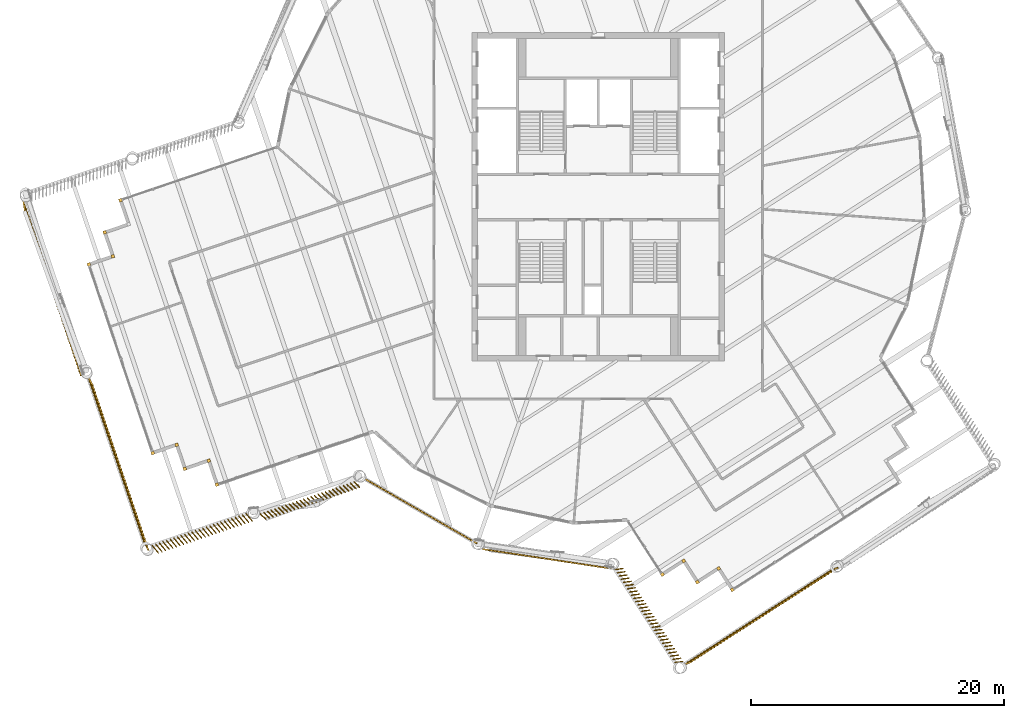
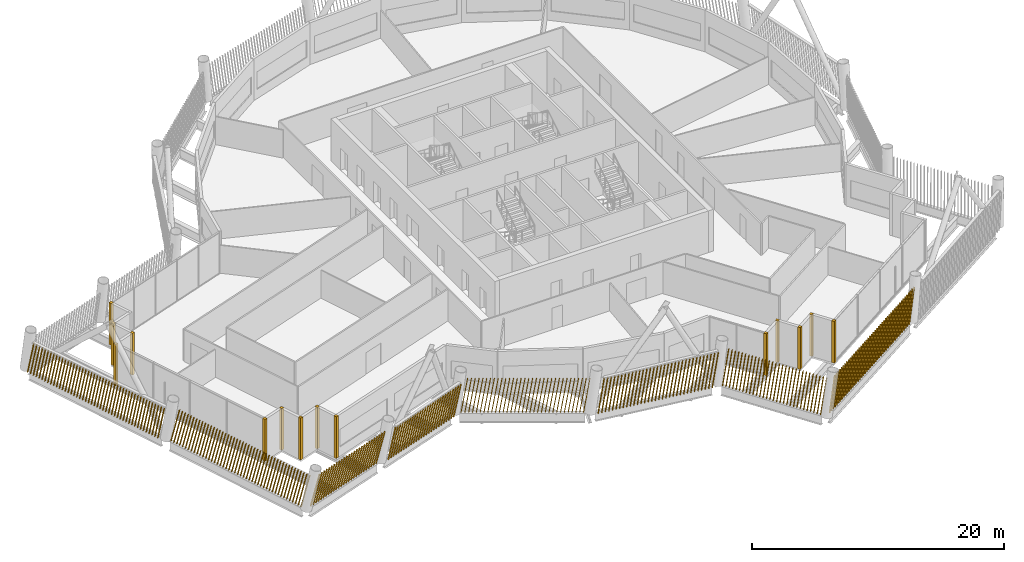
# One storey, part 31 of 35: 22 shading devices.
"""IFC4 building model written with IfcOpenShell, lengths in metres."""

from ifc_helpers import new_model, si_unit, direction, frame, frame_2d, origin, origin_2d, place, context, subcontext, project, spatial, rectangle, composite_profile, extrude, material, type_object, element, save


model = new_model("IFC4")

# Units and contexts
model_context = context("Model", 3, precision=1e-05, world=origin(), true_north=direction((0.0, 1.0)))
body_context = subcontext(model_context, "Body", "Model", "MODEL_VIEW")
ifc_project = project(units=[si_unit("LENGTHUNIT", "METRE"), si_unit("AREAUNIT", "SQUARE_METRE"), si_unit("VOLUMEUNIT", "CUBIC_METRE"), si_unit("PLANEANGLEUNIT", "RADIAN"), si_unit("MASSUNIT", "GRAM", prefix="KILO")], contexts=[model_context])

# Site, building, storey
site_placement = place(None, origin())
site = spatial("IfcSite", under=ifc_project, at=site_placement, CompositionType="ELEMENT")
building_placement = place(site_placement, origin())
building = spatial("IfcBuilding", under=site, at=building_placement, Name="Tarsis Ring Headquarters", CompositionType="ELEMENT")
storey_placement = place(building_placement, frame((0.0, 0.0, 360.800048828125)))
storey = spatial("IfcBuildingStorey", under=building, at=storey_placement, Name="L85", CompositionType="ELEMENT", Elevation=360.800048828125)

# Shading devices
ifc_material = material(Name="Terracotta baguette", Category="masonry")
shading_device_type_1 = type_object("IfcShadingDeviceType", Name="Terracotta baguette screen", PredefinedType="USERDEFINED", material=ifc_material)
shading_device_1_placement = place(storey_placement, frame((-9.153076171875, -27.864990234375, 0.0), z_axis=(0.0, 0.0, 1.0), x_axis=(0.988782011243, -0.149431605247, 0.0)))
element("IfcShadingDevice", 1, at=shading_device_1_placement, inside=storey, type_object=shading_device_type_1, Name="Baguette screen L85-00", ObjectType="Terracotta baguette screen", PredefinedType="USERDEFINED", context=body_context, shape_type="SweptSolid", body=[
    extrude(composite_profile([rectangle(XDim=0.06005859375, YDim=0.1201171875, at=frame_2d((0.030029296875, 0.0))), rectangle(XDim=0.06005859375, YDim=0.1201171875, at=frame_2d((0.33349609375, 0.0))), rectangle(XDim=0.06005859375, YDim=0.1201171875, at=frame_2d((0.636962890625, 0.0))), rectangle(XDim=0.06005859375, YDim=0.1201171875, at=frame_2d((0.9404296875, 0.0))), rectangle(XDim=0.06005859375, YDim=0.1201171875, at=frame_2d((1.243896484375, 0.0))), rectangle(XDim=0.06005859375, YDim=0.1201171875, at=frame_2d((1.54736328125, 0.0))), rectangle(XDim=0.06005859375, YDim=0.1201171875, at=frame_2d((1.85107421875, 0.0))), rectangle(XDim=0.06005859375, YDim=0.1201171875, at=frame_2d((2.154541015625, 0.0))), rectangle(XDim=0.06005859375, YDim=0.1201171875, at=frame_2d((2.4580078125, 0.0))), rectangle(XDim=0.06005859375, YDim=0.1201171875, at=frame_2d((2.761474609375, 0.0))), rectangle(XDim=0.06005859375, YDim=0.1201171875, at=frame_2d((3.06494140625, 0.0))), rectangle(XDim=0.06005859375, YDim=0.1201171875, at=frame_2d((3.368408203125, 0.0))), rectangle(XDim=0.06005859375, YDim=0.1201171875, at=frame_2d((3.671875, 0.0))), rectangle(XDim=0.06005859375, YDim=0.1201171875, at=frame_2d((3.975341796875, 0.0))), rectangle(XDim=0.06005859375, YDim=0.1201171875, at=frame_2d((4.27880859375, 0.0))), rectangle(XDim=0.06005859375, YDim=0.1201171875, at=frame_2d((4.582275390625, 0.0))), rectangle(XDim=0.06005859375, YDim=0.1201171875, at=frame_2d((4.8857421875, 0.0))), rectangle(XDim=0.06005859375, YDim=0.1201171875, at=frame_2d((5.189453125, 0.0))), rectangle(XDim=0.06005859375, YDim=0.1201171875, at=frame_2d((5.492919921875, 0.0))), rectangle(XDim=0.06005859375, YDim=0.1201171875, at=frame_2d((5.79638671875, 0.0))), rectangle(XDim=0.06005859375, YDim=0.1201171875, at=frame_2d((6.099853515625, 0.0))), rectangle(XDim=0.06005859375, YDim=0.1201171875, at=frame_2d((6.4033203125, 0.0))), rectangle(XDim=0.06005859375, YDim=0.1201171875, at=frame_2d((6.706787109375, 0.0))), rectangle(XDim=0.06005859375, YDim=0.1201171875, at=frame_2d((7.01025390625, 0.0))), rectangle(XDim=0.06005859375, YDim=0.1201171875, at=frame_2d((7.313720703125, 0.0))), rectangle(XDim=0.06005859375, YDim=0.1201171875, at=frame_2d((7.6171875, 0.0))), rectangle(XDim=0.06005859375, YDim=0.1201171875, at=frame_2d((7.920654296875, 0.0))), rectangle(XDim=0.06005859375, YDim=0.1201171875, at=frame_2d((8.224365234375, 0.0))), rectangle(XDim=0.06005859375, YDim=0.1201171875, at=frame_2d((8.52783203125, 0.0))), rectangle(XDim=0.06005859375, YDim=0.1201171875, at=frame_2d((8.831298828125, 0.0))), rectangle(XDim=0.06005859375, YDim=0.1201171875, at=frame_2d((9.134765625, 0.0))), rectangle(XDim=0.06005859375, YDim=0.1201171875, at=frame_2d((9.438232421875, 0.0))), rectangle(XDim=0.06005859375, YDim=0.1201171875, at=frame_2d((9.74169921875, 0.0)))]), origin(), (0.157999017164, 0.001430768643, 0.98743823274), 3.322265625),
])
shading_device_2_placement = place(storey_placement, frame((1.32958984375, -29.449951171875, 0.0), z_axis=(0.0, 0.0, 1.0), x_axis=(0.540554030447, -0.841305493165, 0.0)))
element("IfcShadingDevice", 2, at=shading_device_2_placement, inside=storey, type_object=shading_device_type_1, Name="Baguette screen L85-01", ObjectType="Terracotta baguette screen", PredefinedType="USERDEFINED", context=body_context, shape_type="SweptSolid", body=[
    extrude(composite_profile([rectangle(XDim=0.06005859375, YDim=0.1201171875, at=frame_2d((0.030029296875, 0.0))), rectangle(XDim=0.06005859375, YDim=0.1201171875, at=frame_2d((0.33154296875, 0.0))), rectangle(XDim=0.06005859375, YDim=0.1201171875, at=frame_2d((0.633056640625, 0.0))), rectangle(XDim=0.06005859375, YDim=0.1201171875, at=frame_2d((0.9345703125, 0.0))), rectangle(XDim=0.06005859375, YDim=0.1201171875, at=frame_2d((1.236083984375, 0.0))), rectangle(XDim=0.06005859375, YDim=0.1201171875, at=frame_2d((1.53759765625, 0.0))), rectangle(XDim=0.06005859375, YDim=0.1201171875, at=frame_2d((1.839111328125, 0.0))), rectangle(XDim=0.06005859375, YDim=0.1201171875, at=frame_2d((2.140625, 0.0))), rectangle(XDim=0.06005859375, YDim=0.1201171875, at=frame_2d((2.442138671875, 0.0))), rectangle(XDim=0.06005859375, YDim=0.1201171875, at=frame_2d((2.74365234375, 0.0))), rectangle(XDim=0.06005859375, YDim=0.1201171875, at=frame_2d((3.045166015625, 0.0))), rectangle(XDim=0.06005859375, YDim=0.1201171875, at=frame_2d((3.3466796875, 0.0))), rectangle(XDim=0.06005859375, YDim=0.1201171875, at=frame_2d((3.648193359375, 0.0))), rectangle(XDim=0.06005859375, YDim=0.1201171875, at=frame_2d((3.94970703125, 0.0))), rectangle(XDim=0.06005859375, YDim=0.1201171875, at=frame_2d((4.251220703125, 0.0))), rectangle(XDim=0.06005859375, YDim=0.1201171875, at=frame_2d((4.552978515625, 0.0))), rectangle(XDim=0.06005859375, YDim=0.1201171875, at=frame_2d((4.8544921875, 0.0))), rectangle(XDim=0.06005859375, YDim=0.1201171875, at=frame_2d((5.156005859375, 0.0))), rectangle(XDim=0.06005859375, YDim=0.1201171875, at=frame_2d((5.45751953125, 0.0))), rectangle(XDim=0.06005859375, YDim=0.1201171875, at=frame_2d((5.759033203125, 0.0))), rectangle(XDim=0.06005859375, YDim=0.1201171875, at=frame_2d((6.060546875, 0.0))), rectangle(XDim=0.06005859375, YDim=0.1201171875, at=frame_2d((6.362060546875, 0.0))), rectangle(XDim=0.06005859375, YDim=0.1201171875, at=frame_2d((6.66357421875, 0.0))), rectangle(XDim=0.06005859375, YDim=0.1201171875, at=frame_2d((6.965087890625, 0.0))), rectangle(XDim=0.06005859375, YDim=0.1201171875, at=frame_2d((7.2666015625, 0.0))), rectangle(XDim=0.06005859375, YDim=0.1201171875, at=frame_2d((7.568115234375, 0.0))), rectangle(XDim=0.06005859375, YDim=0.1201171875, at=frame_2d((7.86962890625, 0.0))), rectangle(XDim=0.06005859375, YDim=0.1201171875, at=frame_2d((8.171142578125, 0.0))), rectangle(XDim=0.06005859375, YDim=0.1201171875, at=frame_2d((8.47265625, 0.0))), rectangle(XDim=0.06005859375, YDim=0.1201171875, at=frame_2d((8.774169921875, 0.0)))]), origin(), (0.079052575925, 0.163398465981, 0.983387833743), 3.3359375),
])
shading_device_3_placement = place(storey_placement, frame((6.77978515625, -37.007568359375, 0.0), z_axis=(0.0, 0.0, 1.0), x_axis=(0.841324039346, 0.540531455665, 0.0)))
element("IfcShadingDevice", 3, at=shading_device_3_placement, inside=storey, type_object=shading_device_type_1, Name="Baguette screen L85-02", ObjectType="Terracotta baguette screen", PredefinedType="USERDEFINED", context=body_context, shape_type="SweptSolid", body=[
    extrude(composite_profile([rectangle(XDim=0.06005859375, YDim=0.1201171875, at=frame_2d((0.030029296875, 0.0))), rectangle(XDim=0.06005859375, YDim=0.1201171875, at=frame_2d((0.33544921875, 0.0))), rectangle(XDim=0.06005859375, YDim=0.1201171875, at=frame_2d((0.640625, 0.0))), rectangle(XDim=0.06005859375, YDim=0.1201171875, at=frame_2d((0.946044921875, 0.0))), rectangle(XDim=0.06005859375, YDim=0.1201171875, at=frame_2d((1.25146484375, 0.0))), rectangle(XDim=0.06005859375, YDim=0.1201171875, at=frame_2d((1.556640625, 0.0))), rectangle(XDim=0.06005859375, YDim=0.1201171875, at=frame_2d((1.862060546875, 0.0))), rectangle(XDim=0.06005859375, YDim=0.1201171875, at=frame_2d((2.16748046875, 0.0))), rectangle(XDim=0.06005859375, YDim=0.1201171875, at=frame_2d((2.47265625, 0.0))), rectangle(XDim=0.06005859375, YDim=0.1201171875, at=frame_2d((2.778076171875, 0.0))), rectangle(XDim=0.06005859375, YDim=0.1201171875, at=frame_2d((3.08349609375, 0.0))), rectangle(XDim=0.06005859375, YDim=0.1201171875, at=frame_2d((3.388671875, 0.0))), rectangle(XDim=0.06005859375, YDim=0.1201171875, at=frame_2d((3.694091796875, 0.0))), rectangle(XDim=0.06005859375, YDim=0.1201171875, at=frame_2d((3.99951171875, 0.0))), rectangle(XDim=0.06005859375, YDim=0.1201171875, at=frame_2d((4.3046875, 0.0))), rectangle(XDim=0.06005859375, YDim=0.1201171875, at=frame_2d((4.610107421875, 0.0))), rectangle(XDim=0.06005859375, YDim=0.1201171875, at=frame_2d((4.91552734375, 0.0))), rectangle(XDim=0.06005859375, YDim=0.1201171875, at=frame_2d((5.220703125, 0.0))), rectangle(XDim=0.06005859375, YDim=0.1201171875, at=frame_2d((5.526123046875, 0.0))), rectangle(XDim=0.06005859375, YDim=0.1201171875, at=frame_2d((5.83154296875, 0.0))), rectangle(XDim=0.06005859375, YDim=0.1201171875, at=frame_2d((6.13671875, 0.0))), rectangle(XDim=0.06005859375, YDim=0.1201171875, at=frame_2d((6.442138671875, 0.0))), rectangle(XDim=0.06005859375, YDim=0.1201171875, at=frame_2d((6.74755859375, 0.0))), rectangle(XDim=0.06005859375, YDim=0.1201171875, at=frame_2d((7.052734375, 0.0))), rectangle(XDim=0.06005859375, YDim=0.1201171875, at=frame_2d((7.358154296875, 0.0))), rectangle(XDim=0.06005859375, YDim=0.1201171875, at=frame_2d((7.66357421875, 0.0))), rectangle(XDim=0.06005859375, YDim=0.1201171875, at=frame_2d((7.96875, 0.0))), rectangle(XDim=0.06005859375, YDim=0.1201171875, at=frame_2d((8.274169921875, 0.0))), rectangle(XDim=0.06005859375, YDim=0.1201171875, at=frame_2d((8.57958984375, 0.0))), rectangle(XDim=0.06005859375, YDim=0.1201171875, at=frame_2d((8.884765625, 0.0))), rectangle(XDim=0.06005859375, YDim=0.1201171875, at=frame_2d((9.190185546875, 0.0))), rectangle(XDim=0.06005859375, YDim=0.1201171875, at=frame_2d((9.49560546875, 0.0))), rectangle(XDim=0.06005859375, YDim=0.1201171875, at=frame_2d((9.80078125, 0.0))), rectangle(XDim=0.06005859375, YDim=0.1201171875, at=frame_2d((10.106201171875, 0.0))), rectangle(XDim=0.06005859375, YDim=0.1201171875, at=frame_2d((10.41162109375, 0.0))), rectangle(XDim=0.06005859375, YDim=0.1201171875, at=frame_2d((10.716796875, 0.0))), rectangle(XDim=0.06005859375, YDim=0.1201171875, at=frame_2d((11.022216796875, 0.0))), rectangle(XDim=0.06005859375, YDim=0.1201171875, at=frame_2d((11.32763671875, 0.0))), rectangle(XDim=0.06005859375, YDim=0.1201171875, at=frame_2d((11.6328125, 0.0))), rectangle(XDim=0.06005859375, YDim=0.1201171875, at=frame_2d((11.938232421875, 0.0))), rectangle(XDim=0.06005859375, YDim=0.1201171875, at=frame_2d((12.24365234375, 0.0))), rectangle(XDim=0.06005859375, YDim=0.1201171875, at=frame_2d((12.548828125, 0.0))), rectangle(XDim=0.06005859375, YDim=0.1201171875, at=frame_2d((12.854248046875, 0.0))), rectangle(XDim=0.06005859375, YDim=0.1201171875, at=frame_2d((13.15966796875, 0.0))), rectangle(XDim=0.06005859375, YDim=0.1201171875, at=frame_2d((13.46484375, 0.0))), rectangle(XDim=0.06005859375, YDim=0.1201171875, at=frame_2d((13.770263671875, 0.0)))]), origin(), (0.18928067445, -0.038456532742, 0.981169670021), 3.343505859375),
])
shading_device_4_placement = place(storey_placement, frame((-45.48046875, -0.313232421875, 0.0), z_axis=(0.0, 0.0, 1.0), x_axis=(0.320937638213, -0.947103051747, 0.0)))
element("IfcShadingDevice", 4, at=shading_device_4_placement, inside=storey, type_object=shading_device_type_1, Name="Baguette screen L85-15", ObjectType="Terracotta baguette screen", PredefinedType="USERDEFINED", context=body_context, shape_type="SweptSolid", body=[
    extrude(composite_profile([rectangle(XDim=0.06005859375, YDim=0.1201171875, at=frame_2d((0.030029296875, 0.0))), rectangle(XDim=0.06005859375, YDim=0.1201171875, at=frame_2d((0.33544921875, 0.0))), rectangle(XDim=0.06005859375, YDim=0.1201171875, at=frame_2d((0.640625, 0.0))), rectangle(XDim=0.06005859375, YDim=0.1201171875, at=frame_2d((0.946044921875, 0.0))), rectangle(XDim=0.06005859375, YDim=0.1201171875, at=frame_2d((1.25146484375, 0.0))), rectangle(XDim=0.06005859375, YDim=0.1201171875, at=frame_2d((1.556640625, 0.0))), rectangle(XDim=0.06005859375, YDim=0.1201171875, at=frame_2d((1.862060546875, 0.0))), rectangle(XDim=0.06005859375, YDim=0.1201171875, at=frame_2d((2.16748046875, 0.0))), rectangle(XDim=0.06005859375, YDim=0.1201171875, at=frame_2d((2.47265625, 0.0))), rectangle(XDim=0.06005859375, YDim=0.1201171875, at=frame_2d((2.778076171875, 0.0))), rectangle(XDim=0.06005859375, YDim=0.1201171875, at=frame_2d((3.08349609375, 0.0))), rectangle(XDim=0.06005859375, YDim=0.1201171875, at=frame_2d((3.388671875, 0.0))), rectangle(XDim=0.06005859375, YDim=0.1201171875, at=frame_2d((3.694091796875, 0.0))), rectangle(XDim=0.06005859375, YDim=0.1201171875, at=frame_2d((3.99951171875, 0.0))), rectangle(XDim=0.06005859375, YDim=0.1201171875, at=frame_2d((4.3046875, 0.0))), rectangle(XDim=0.06005859375, YDim=0.1201171875, at=frame_2d((4.610107421875, 0.0))), rectangle(XDim=0.06005859375, YDim=0.1201171875, at=frame_2d((4.91552734375, 0.0))), rectangle(XDim=0.06005859375, YDim=0.1201171875, at=frame_2d((5.220703125, 0.0))), rectangle(XDim=0.06005859375, YDim=0.1201171875, at=frame_2d((5.526123046875, 0.0))), rectangle(XDim=0.06005859375, YDim=0.1201171875, at=frame_2d((5.83154296875, 0.0))), rectangle(XDim=0.06005859375, YDim=0.1201171875, at=frame_2d((6.13671875, 0.0))), rectangle(XDim=0.06005859375, YDim=0.1201171875, at=frame_2d((6.442138671875, 0.0))), rectangle(XDim=0.06005859375, YDim=0.1201171875, at=frame_2d((6.74755859375, 0.0))), rectangle(XDim=0.06005859375, YDim=0.1201171875, at=frame_2d((7.052734375, 0.0))), rectangle(XDim=0.06005859375, YDim=0.1201171875, at=frame_2d((7.358154296875, 0.0))), rectangle(XDim=0.06005859375, YDim=0.1201171875, at=frame_2d((7.66357421875, 0.0))), rectangle(XDim=0.06005859375, YDim=0.1201171875, at=frame_2d((7.96875, 0.0))), rectangle(XDim=0.06005859375, YDim=0.1201171875, at=frame_2d((8.274169921875, 0.0))), rectangle(XDim=0.06005859375, YDim=0.1201171875, at=frame_2d((8.57958984375, 0.0))), rectangle(XDim=0.06005859375, YDim=0.1201171875, at=frame_2d((8.884765625, 0.0))), rectangle(XDim=0.06005859375, YDim=0.1201171875, at=frame_2d((9.190185546875, 0.0))), rectangle(XDim=0.06005859375, YDim=0.1201171875, at=frame_2d((9.49560546875, 0.0))), rectangle(XDim=0.06005859375, YDim=0.1201171875, at=frame_2d((9.80078125, 0.0))), rectangle(XDim=0.06005859375, YDim=0.1201171875, at=frame_2d((10.106201171875, 0.0))), rectangle(XDim=0.06005859375, YDim=0.1201171875, at=frame_2d((10.41162109375, 0.0))), rectangle(XDim=0.06005859375, YDim=0.1201171875, at=frame_2d((10.716796875, 0.0))), rectangle(XDim=0.06005859375, YDim=0.1201171875, at=frame_2d((11.022216796875, 0.0))), rectangle(XDim=0.06005859375, YDim=0.1201171875, at=frame_2d((11.32763671875, 0.0))), rectangle(XDim=0.06005859375, YDim=0.1201171875, at=frame_2d((11.6328125, 0.0))), rectangle(XDim=0.06005859375, YDim=0.1201171875, at=frame_2d((11.938232421875, 0.0))), rectangle(XDim=0.06005859375, YDim=0.1201171875, at=frame_2d((12.24365234375, 0.0))), rectangle(XDim=0.06005859375, YDim=0.1201171875, at=frame_2d((12.548828125, 0.0))), rectangle(XDim=0.06005859375, YDim=0.1201171875, at=frame_2d((12.854248046875, 0.0))), rectangle(XDim=0.06005859375, YDim=0.1201171875, at=frame_2d((13.15966796875, 0.0))), rectangle(XDim=0.06005859375, YDim=0.1201171875, at=frame_2d((13.46484375, 0.0))), rectangle(XDim=0.06005859375, YDim=0.1201171875, at=frame_2d((13.770263671875, 0.0)))]), origin(), (0.232518874131, -0.037682138918, 0.971861630881), 3.37548828125),
])
shading_device_5_placement = place(storey_placement, frame((-40.375244140625, -14.2099609375, 0.0), z_axis=(0.0, 0.0, 1.0), x_axis=(0.320943316114, -0.947102115915, 0.0)))
element("IfcShadingDevice", 5, at=shading_device_5_placement, inside=storey, type_object=shading_device_type_1, Name="Baguette screen L85-16", ObjectType="Terracotta baguette screen", PredefinedType="USERDEFINED", context=body_context, shape_type="SweptSolid", body=[
    extrude(composite_profile([rectangle(XDim=0.06005859375, YDim=0.1201171875, at=frame_2d((0.030029296875, 0.0))), rectangle(XDim=0.06005859375, YDim=0.1201171875, at=frame_2d((0.33544921875, 0.0))), rectangle(XDim=0.06005859375, YDim=0.1201171875, at=frame_2d((0.640625, 0.0))), rectangle(XDim=0.06005859375, YDim=0.1201171875, at=frame_2d((0.946044921875, 0.0))), rectangle(XDim=0.06005859375, YDim=0.1201171875, at=frame_2d((1.25146484375, 0.0))), rectangle(XDim=0.06005859375, YDim=0.1201171875, at=frame_2d((1.556640625, 0.0))), rectangle(XDim=0.06005859375, YDim=0.1201171875, at=frame_2d((1.862060546875, 0.0))), rectangle(XDim=0.06005859375, YDim=0.1201171875, at=frame_2d((2.16748046875, 0.0))), rectangle(XDim=0.06005859375, YDim=0.1201171875, at=frame_2d((2.47265625, 0.0))), rectangle(XDim=0.06005859375, YDim=0.1201171875, at=frame_2d((2.778076171875, 0.0))), rectangle(XDim=0.06005859375, YDim=0.1201171875, at=frame_2d((3.08349609375, 0.0))), rectangle(XDim=0.06005859375, YDim=0.1201171875, at=frame_2d((3.388671875, 0.0))), rectangle(XDim=0.06005859375, YDim=0.1201171875, at=frame_2d((3.694091796875, 0.0))), rectangle(XDim=0.06005859375, YDim=0.1201171875, at=frame_2d((3.99951171875, 0.0))), rectangle(XDim=0.06005859375, YDim=0.1201171875, at=frame_2d((4.3046875, 0.0))), rectangle(XDim=0.06005859375, YDim=0.1201171875, at=frame_2d((4.610107421875, 0.0))), rectangle(XDim=0.06005859375, YDim=0.1201171875, at=frame_2d((4.91552734375, 0.0))), rectangle(XDim=0.06005859375, YDim=0.1201171875, at=frame_2d((5.220703125, 0.0))), rectangle(XDim=0.06005859375, YDim=0.1201171875, at=frame_2d((5.526123046875, 0.0))), rectangle(XDim=0.06005859375, YDim=0.1201171875, at=frame_2d((5.83154296875, 0.0))), rectangle(XDim=0.06005859375, YDim=0.1201171875, at=frame_2d((6.13671875, 0.0))), rectangle(XDim=0.06005859375, YDim=0.1201171875, at=frame_2d((6.442138671875, 0.0))), rectangle(XDim=0.06005859375, YDim=0.1201171875, at=frame_2d((6.74755859375, 0.0))), rectangle(XDim=0.06005859375, YDim=0.1201171875, at=frame_2d((7.052734375, 0.0))), rectangle(XDim=0.06005859375, YDim=0.1201171875, at=frame_2d((7.358154296875, 0.0))), rectangle(XDim=0.06005859375, YDim=0.1201171875, at=frame_2d((7.66357421875, 0.0))), rectangle(XDim=0.06005859375, YDim=0.1201171875, at=frame_2d((7.96875, 0.0))), rectangle(XDim=0.06005859375, YDim=0.1201171875, at=frame_2d((8.274169921875, 0.0))), rectangle(XDim=0.06005859375, YDim=0.1201171875, at=frame_2d((8.57958984375, 0.0))), rectangle(XDim=0.06005859375, YDim=0.1201171875, at=frame_2d((8.884765625, 0.0))), rectangle(XDim=0.06005859375, YDim=0.1201171875, at=frame_2d((9.190185546875, 0.0))), rectangle(XDim=0.06005859375, YDim=0.1201171875, at=frame_2d((9.49560546875, 0.0))), rectangle(XDim=0.06005859375, YDim=0.1201171875, at=frame_2d((9.80078125, 0.0))), rectangle(XDim=0.06005859375, YDim=0.1201171875, at=frame_2d((10.106201171875, 0.0))), rectangle(XDim=0.06005859375, YDim=0.1201171875, at=frame_2d((10.41162109375, 0.0))), rectangle(XDim=0.06005859375, YDim=0.1201171875, at=frame_2d((10.716796875, 0.0))), rectangle(XDim=0.06005859375, YDim=0.1201171875, at=frame_2d((11.022216796875, 0.0))), rectangle(XDim=0.06005859375, YDim=0.1201171875, at=frame_2d((11.32763671875, 0.0))), rectangle(XDim=0.06005859375, YDim=0.1201171875, at=frame_2d((11.6328125, 0.0))), rectangle(XDim=0.06005859375, YDim=0.1201171875, at=frame_2d((11.938232421875, 0.0))), rectangle(XDim=0.06005859375, YDim=0.1201171875, at=frame_2d((12.24365234375, 0.0))), rectangle(XDim=0.06005859375, YDim=0.1201171875, at=frame_2d((12.548828125, 0.0))), rectangle(XDim=0.06005859375, YDim=0.1201171875, at=frame_2d((12.854248046875, 0.0))), rectangle(XDim=0.06005859375, YDim=0.1201171875, at=frame_2d((13.15966796875, 0.0))), rectangle(XDim=0.06005859375, YDim=0.1201171875, at=frame_2d((13.46484375, 0.0))), rectangle(XDim=0.06005859375, YDim=0.1201171875, at=frame_2d((13.770263671875, 0.0)))]), origin(), (0.229887171984, 0.041899548962, 0.972314926325), 3.3740234375),
])
shading_device_6_placement = place(storey_placement, frame((-35.312255859375, -27.593017578125, 0.0), z_axis=(0.0, 0.0, 1.0), x_axis=(0.947106620941, 0.320944171533, 0.0)))
element("IfcShadingDevice", 6, at=shading_device_6_placement, inside=storey, type_object=shading_device_type_1, Name="Baguette screen L85-17", ObjectType="Terracotta baguette screen", PredefinedType="USERDEFINED", context=body_context, shape_type="SweptSolid", body=[
    extrude(composite_profile([rectangle(XDim=0.06005859375, YDim=0.1201171875, at=frame_2d((0.030029296875, 0.0))), rectangle(XDim=0.06005859375, YDim=0.1201171875, at=frame_2d((0.33154296875, 0.0))), rectangle(XDim=0.06005859375, YDim=0.1201171875, at=frame_2d((0.63330078125, 0.0))), rectangle(XDim=0.06005859375, YDim=0.1201171875, at=frame_2d((0.934814453125, 0.0))), rectangle(XDim=0.06005859375, YDim=0.1201171875, at=frame_2d((1.236572265625, 0.0))), rectangle(XDim=0.06005859375, YDim=0.1201171875, at=frame_2d((1.5380859375, 0.0))), rectangle(XDim=0.06005859375, YDim=0.1201171875, at=frame_2d((1.83984375, 0.0))), rectangle(XDim=0.06005859375, YDim=0.1201171875, at=frame_2d((2.141357421875, 0.0))), rectangle(XDim=0.06005859375, YDim=0.1201171875, at=frame_2d((2.443115234375, 0.0))), rectangle(XDim=0.06005859375, YDim=0.1201171875, at=frame_2d((2.74462890625, 0.0))), rectangle(XDim=0.06005859375, YDim=0.1201171875, at=frame_2d((3.04638671875, 0.0))), rectangle(XDim=0.06005859375, YDim=0.1201171875, at=frame_2d((3.347900390625, 0.0))), rectangle(XDim=0.06005859375, YDim=0.1201171875, at=frame_2d((3.649658203125, 0.0))), rectangle(XDim=0.06005859375, YDim=0.1201171875, at=frame_2d((3.951171875, 0.0))), rectangle(XDim=0.06005859375, YDim=0.1201171875, at=frame_2d((4.252685546875, 0.0))), rectangle(XDim=0.06005859375, YDim=0.1201171875, at=frame_2d((4.554443359375, 0.0))), rectangle(XDim=0.06005859375, YDim=0.1201171875, at=frame_2d((4.85595703125, 0.0))), rectangle(XDim=0.06005859375, YDim=0.1201171875, at=frame_2d((5.15771484375, 0.0))), rectangle(XDim=0.06005859375, YDim=0.1201171875, at=frame_2d((5.459228515625, 0.0))), rectangle(XDim=0.06005859375, YDim=0.1201171875, at=frame_2d((5.760986328125, 0.0))), rectangle(XDim=0.06005859375, YDim=0.1201171875, at=frame_2d((6.0625, 0.0))), rectangle(XDim=0.06005859375, YDim=0.1201171875, at=frame_2d((6.3642578125, 0.0))), rectangle(XDim=0.06005859375, YDim=0.1201171875, at=frame_2d((6.665771484375, 0.0))), rectangle(XDim=0.06005859375, YDim=0.1201171875, at=frame_2d((6.967529296875, 0.0))), rectangle(XDim=0.06005859375, YDim=0.1201171875, at=frame_2d((7.26904296875, 0.0))), rectangle(XDim=0.06005859375, YDim=0.1201171875, at=frame_2d((7.57080078125, 0.0))), rectangle(XDim=0.06005859375, YDim=0.1201171875, at=frame_2d((7.872314453125, 0.0)))]), origin(), (0.081725177694, -0.206169585478, 0.97509748095), 3.3642578125),
])
shading_device_7_placement = place(storey_placement, frame((-26.7607421875, -25.091064453125, 0.0), z_axis=(0.0, 0.0, 1.0), x_axis=(0.947108255067, 0.320934256055, 0.0)))
element("IfcShadingDevice", 7, at=shading_device_7_placement, inside=storey, type_object=shading_device_type_1, Name="Baguette screen L85-18", ObjectType="Terracotta baguette screen", PredefinedType="USERDEFINED", context=body_context, shape_type="SweptSolid", body=[
    extrude(composite_profile([rectangle(XDim=0.06005859375, YDim=0.1201171875, at=frame_2d((0.030029296875, 0.0))), rectangle(XDim=0.06005859375, YDim=0.1201171875, at=frame_2d((0.33154296875, 0.0))), rectangle(XDim=0.06005859375, YDim=0.1201171875, at=frame_2d((0.63330078125, 0.0))), rectangle(XDim=0.06005859375, YDim=0.1201171875, at=frame_2d((0.934814453125, 0.0))), rectangle(XDim=0.06005859375, YDim=0.1201171875, at=frame_2d((1.236572265625, 0.0))), rectangle(XDim=0.06005859375, YDim=0.1201171875, at=frame_2d((1.5380859375, 0.0))), rectangle(XDim=0.06005859375, YDim=0.1201171875, at=frame_2d((1.83984375, 0.0))), rectangle(XDim=0.06005859375, YDim=0.1201171875, at=frame_2d((2.141357421875, 0.0))), rectangle(XDim=0.06005859375, YDim=0.1201171875, at=frame_2d((2.443115234375, 0.0))), rectangle(XDim=0.06005859375, YDim=0.1201171875, at=frame_2d((2.74462890625, 0.0))), rectangle(XDim=0.06005859375, YDim=0.1201171875, at=frame_2d((3.04638671875, 0.0))), rectangle(XDim=0.06005859375, YDim=0.1201171875, at=frame_2d((3.347900390625, 0.0))), rectangle(XDim=0.06005859375, YDim=0.1201171875, at=frame_2d((3.649658203125, 0.0))), rectangle(XDim=0.06005859375, YDim=0.1201171875, at=frame_2d((3.951171875, 0.0))), rectangle(XDim=0.06005859375, YDim=0.1201171875, at=frame_2d((4.252685546875, 0.0))), rectangle(XDim=0.06005859375, YDim=0.1201171875, at=frame_2d((4.554443359375, 0.0))), rectangle(XDim=0.06005859375, YDim=0.1201171875, at=frame_2d((4.85595703125, 0.0))), rectangle(XDim=0.06005859375, YDim=0.1201171875, at=frame_2d((5.15771484375, 0.0))), rectangle(XDim=0.06005859375, YDim=0.1201171875, at=frame_2d((5.459228515625, 0.0))), rectangle(XDim=0.06005859375, YDim=0.1201171875, at=frame_2d((5.760986328125, 0.0))), rectangle(XDim=0.06005859375, YDim=0.1201171875, at=frame_2d((6.0625, 0.0))), rectangle(XDim=0.06005859375, YDim=0.1201171875, at=frame_2d((6.3642578125, 0.0))), rectangle(XDim=0.06005859375, YDim=0.1201171875, at=frame_2d((6.665771484375, 0.0))), rectangle(XDim=0.06005859375, YDim=0.1201171875, at=frame_2d((6.967529296875, 0.0))), rectangle(XDim=0.06005859375, YDim=0.1201171875, at=frame_2d((7.26904296875, 0.0))), rectangle(XDim=0.06005859375, YDim=0.1201171875, at=frame_2d((7.57080078125, 0.0))), rectangle(XDim=0.06005859375, YDim=0.1201171875, at=frame_2d((7.872314453125, 0.0)))]), origin(), (0.084041192133, -0.159502953998, 0.983613687222), 3.335205078125),
])
shading_device_8_placement = place(storey_placement, frame((-18.489990234375, -22.2890625, 0.0), z_axis=(0.0, 0.0, 1.0), x_axis=(0.866330201879, -0.499475314811, 0.0)))
element("IfcShadingDevice", 8, at=shading_device_8_placement, inside=storey, type_object=shading_device_type_1, Name="Baguette screen L85-19", ObjectType="Terracotta baguette screen", PredefinedType="USERDEFINED", context=body_context, shape_type="SweptSolid", body=[
    extrude(composite_profile([rectangle(XDim=0.06005859375, YDim=0.1201171875, at=frame_2d((0.030029296875, 0.0))), rectangle(XDim=0.06005859375, YDim=0.1201171875, at=frame_2d((0.33349609375, 0.0))), rectangle(XDim=0.06005859375, YDim=0.1201171875, at=frame_2d((0.636962890625, 0.0))), rectangle(XDim=0.06005859375, YDim=0.1201171875, at=frame_2d((0.9404296875, 0.0))), rectangle(XDim=0.06005859375, YDim=0.1201171875, at=frame_2d((1.243896484375, 0.0))), rectangle(XDim=0.06005859375, YDim=0.1201171875, at=frame_2d((1.54736328125, 0.0))), rectangle(XDim=0.06005859375, YDim=0.1201171875, at=frame_2d((1.850830078125, 0.0))), rectangle(XDim=0.06005859375, YDim=0.1201171875, at=frame_2d((2.154296875, 0.0))), rectangle(XDim=0.06005859375, YDim=0.1201171875, at=frame_2d((2.4580078125, 0.0))), rectangle(XDim=0.06005859375, YDim=0.1201171875, at=frame_2d((2.761474609375, 0.0))), rectangle(XDim=0.06005859375, YDim=0.1201171875, at=frame_2d((3.06494140625, 0.0))), rectangle(XDim=0.06005859375, YDim=0.1201171875, at=frame_2d((3.368408203125, 0.0))), rectangle(XDim=0.06005859375, YDim=0.1201171875, at=frame_2d((3.671875, 0.0))), rectangle(XDim=0.06005859375, YDim=0.1201171875, at=frame_2d((3.975341796875, 0.0))), rectangle(XDim=0.06005859375, YDim=0.1201171875, at=frame_2d((4.27880859375, 0.0))), rectangle(XDim=0.06005859375, YDim=0.1201171875, at=frame_2d((4.582275390625, 0.0))), rectangle(XDim=0.06005859375, YDim=0.1201171875, at=frame_2d((4.8857421875, 0.0))), rectangle(XDim=0.06005859375, YDim=0.1201171875, at=frame_2d((5.189208984375, 0.0))), rectangle(XDim=0.06005859375, YDim=0.1201171875, at=frame_2d((5.49267578125, 0.0))), rectangle(XDim=0.06005859375, YDim=0.1201171875, at=frame_2d((5.796142578125, 0.0))), rectangle(XDim=0.06005859375, YDim=0.1201171875, at=frame_2d((6.099609375, 0.0))), rectangle(XDim=0.06005859375, YDim=0.1201171875, at=frame_2d((6.403076171875, 0.0))), rectangle(XDim=0.06005859375, YDim=0.1201171875, at=frame_2d((6.70654296875, 0.0))), rectangle(XDim=0.06005859375, YDim=0.1201171875, at=frame_2d((7.010009765625, 0.0))), rectangle(XDim=0.06005859375, YDim=0.1201171875, at=frame_2d((7.3134765625, 0.0))), rectangle(XDim=0.06005859375, YDim=0.1201171875, at=frame_2d((7.6171875, 0.0))), rectangle(XDim=0.06005859375, YDim=0.1201171875, at=frame_2d((7.920654296875, 0.0))), rectangle(XDim=0.06005859375, YDim=0.1201171875, at=frame_2d((8.22412109375, 0.0))), rectangle(XDim=0.06005859375, YDim=0.1201171875, at=frame_2d((8.527587890625, 0.0))), rectangle(XDim=0.06005859375, YDim=0.1201171875, at=frame_2d((8.8310546875, 0.0))), rectangle(XDim=0.06005859375, YDim=0.1201171875, at=frame_2d((9.134521484375, 0.0))), rectangle(XDim=0.06005859375, YDim=0.1201171875, at=frame_2d((9.43798828125, 0.0))), rectangle(XDim=0.06005859375, YDim=0.1201171875, at=frame_2d((9.741455078125, 0.0)))]), origin(), (0.155999468566, 0.001416472549, 0.98775612345), 3.3212890625),
])
shading_device_type_2 = type_object("IfcShadingDeviceType", Name="Terracotta corner baguette 250x250", PredefinedType="USERDEFINED", material=ifc_material)
for number, where, z_axis, x_axis, name in (
    (9, (-30.166015625, -22.7607421875, 0.0), (0.0, 0.0, 1.0), (0.320943907347, -0.947098204167, 0.0), "Corner baguette L85-01"),
    (10, (5.07666015625, -29.87060546875, 0.0), (0.0, 0.0, 1.0), (0.540534118338, -0.84132209463, 0.0), "Corner baguette L85-07"),
    (11, (6.75927734375, -28.78955078125, 0.0), (0.0, 0.0, 1.0), (0.84132234935, 0.540533721874, 0.0), "Corner baguette L85-08"),
    (12, (7.84033203125, -30.47216796875, 0.0), (0.0, 0.0, 1.0), (0.540534074287, -0.841322122932, 0.0), "Corner baguette L85-09"),
    (13, (9.52294921875, -29.39111328125, 0.0), (0.0, 0.0, 1.0), (0.841322264444, 0.540533854029, 0.0), "Corner baguette L85-10"),
    (14, (10.60400390625, -31.07373046875, 0.0), (0.0, 0.0, 1.0), (0.540534074287, -0.841322122932, 0.0), "Corner baguette L85-11"),
    (15, (-37.788330078125, -0.26708984375, 0.0), (0.0, 0.0, 1.0), (-0.947098299393, -0.320943626337, 0.0), "Corner baguette L85-32"),
    (16, (-39.040771484375, -2.80322265625, 0.0), (0.0, 0.0, 1.0), (-0.947098153754, -0.320944056117, 0.0), "Corner baguette L85-34"),
    (17, (-38.398681640625, -4.697265625, 0.0), (0.0, 0.0, 1.0), (0.320943609807, -0.947098304995, 0.0), "Corner baguette L85-35"),
    (18, (-40.29296875, -5.339111328125, 0.0), (0.0, 0.0, 1.0), (-0.94709836101, -0.320943444507, 0.0), "Corner baguette L85-36"),
    (19, (-35.238037109375, -20.256103515625, 0.0), (0.0, 0.0, 1.0), (0.320943626337, -0.947098299393, 0.0), "Corner baguette L85-37"),
    (20, (-33.343994140625, -19.6142578125, 0.0), (0.0, 0.0, 1.0), (0.947098153754, 0.320944056117, 0.0), "Corner baguette L85-38"),
    (21, (-32.7021484375, -21.50830078125, 0.0), (0.0, 0.0, 1.0), (0.320943295738, -0.947098411424, 0.0), "Corner baguette L85-39"),
    (22, (-30.807861328125, -20.866455078125, 0.0), (0.0, 0.0, 1.0), (0.947098204167, 0.320943907347, 0.0), "Corner baguette L85-40"),
):
    element("IfcShadingDevice", number, at=place(storey_placement, frame(where, z_axis=z_axis, x_axis=x_axis)), inside=storey, type_object=shading_device_type_2, Name=name, ObjectType="Terracotta corner baguette", PredefinedType="USERDEFINED", context=body_context, shape_type="SweptSolid", body=[
        extrude(rectangle(XDim=0.25, YDim=0.25, at=origin_2d()), origin(), (0.0, 0.0, 1.0), 4.0400390625),
    ])

save(model, "model.ifc")
